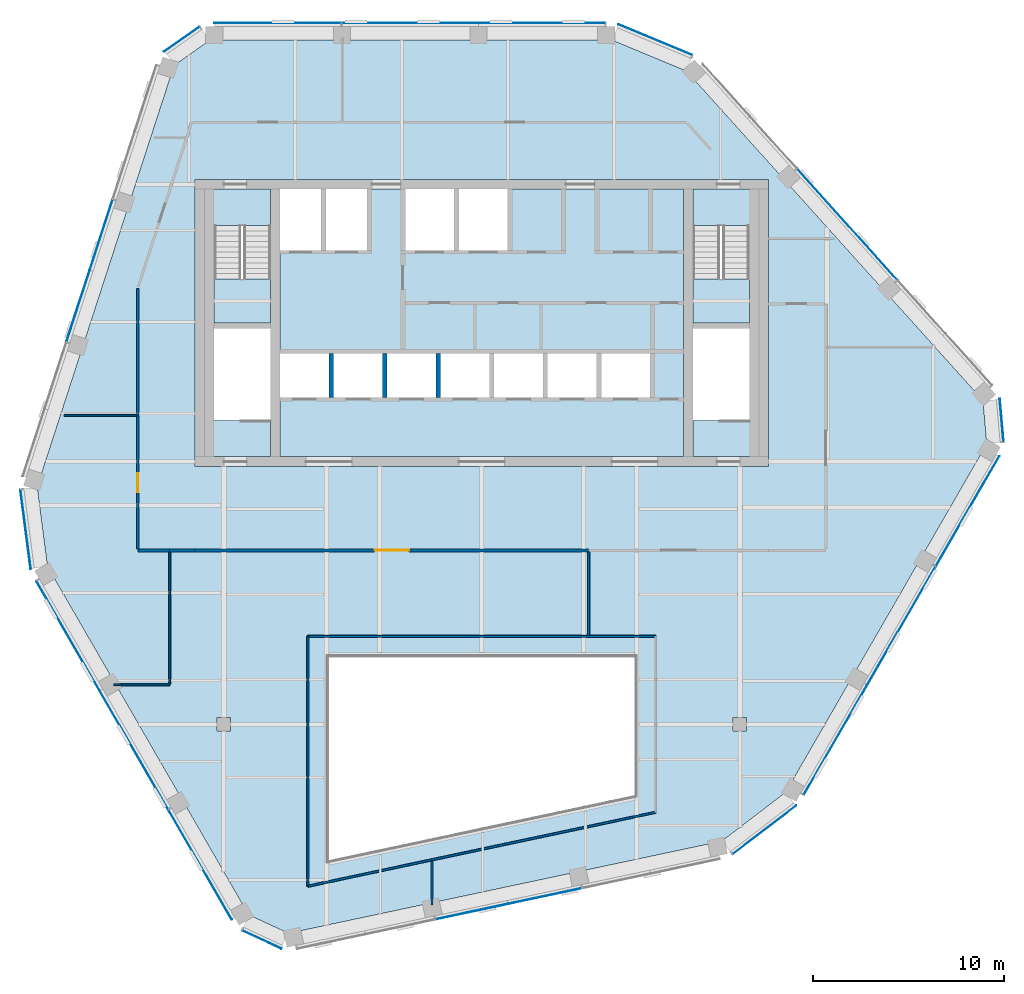
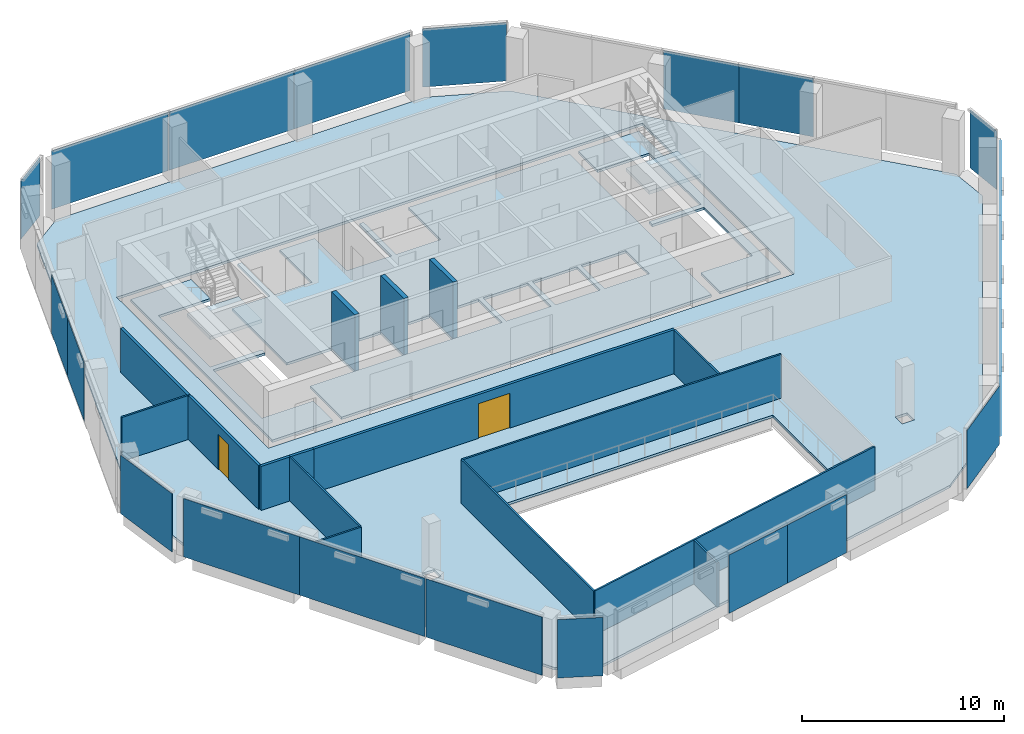
# One storey, part 7 of 13: 21 plates, 16 walls, 6 slabs, 2 doors, 2 openings, 14 elements without a shape of their own.
"""IFC4 building model written with IfcOpenShell, lengths in metres."""

from ifc_helpers import new_model, si_unit, direction, frame, frame_2d, origin, origin_2d, place, context, subcontext, project, spatial, polyline, rectangle, outline, extrude, material, layer, layer_set, type_object, element, fill, aggregate, save


model = new_model("IFC4")

# Units and contexts
model_context = context("Model", 3, precision=1e-05, world=origin(), true_north=direction((0.0, 1.0)))
body_context = subcontext(model_context, "Body", "Model", "MODEL_VIEW")
ifc_project = project(units=[si_unit("LENGTHUNIT", "METRE"), si_unit("AREAUNIT", "SQUARE_METRE"), si_unit("VOLUMEUNIT", "CUBIC_METRE"), si_unit("PLANEANGLEUNIT", "RADIAN"), si_unit("MASSUNIT", "GRAM", prefix="KILO")], contexts=[model_context])

# Site, building, storey
site_placement = place(None, origin())
site = spatial("IfcSite", under=ifc_project, at=site_placement, CompositionType="ELEMENT")
building_placement = place(site_placement, origin())
building = spatial("IfcBuilding", under=site, at=building_placement, Name="Isthmus Gate Tower", CompositionType="ELEMENT")
storey_placement = place(building_placement, frame((0.0, 0.0, 297.449951171875)))
storey = spatial("IfcBuildingStorey", under=building, at=storey_placement, Name="L76", CompositionType="ELEMENT", Elevation=297.449951171875)

# Slabs
ifc_material_1 = material(Name="Concrete f'c 40 MPa", Category="concrete")
ifc_layer_1 = layer(ifc_material_1, 0.14990234375)
ifc_layer_set_1 = layer_set([ifc_layer_1], Name="COMPOSITE FLOOR SLAB 150")
slab_type_1 = type_object("IfcSlabType", Name="COMPOSITE FLOOR SLAB 150", PredefinedType="FLOOR", material=ifc_layer_set_1)
slab_1_placement = place(storey_placement, frame((0.0, 0.0, -0.14990234375)))
element("IfcSlab", 1, at=slab_1_placement, inside=storey, type_object=slab_type_1, Name="str-slab-L76-1", PredefinedType="FLOOR", context=body_context, shape_type="SweptSolid", body=[
    extrude(outline(polyline([(10.7080078125, 20.68310546875), (26.218017578125, 3.45751953125), (26.423583984375, 1.1669921875), (15.902587890625, -17.055908203125), (12.55810546875, -19.614990234375), (-10.11474609375, -24.434326171875), (-12.201171875, -23.467041015625), (-22.72216796875, -5.243896484375), (-23.26611328125, -1.068115234375), (-16.103515625, 20.976806640625), (-14.22265625, 22.300048828125), (6.819580078125, 22.300048828125), (10.7080078125, 20.68310546875)]), holes=[polyline([(-8.0, -10.0), (-8.0, -20.611083984375), (8.0, -17.210205078125), (8.0, -10.0), (-8.0, -10.0)]), polyline([(-13.85009765625, -13.14990234375), (-13.85009765625, -13.85009765625), (-13.14990234375, -13.85009765625), (-13.14990234375, -13.14990234375), (-13.85009765625, -13.14990234375)]), polyline([(13.14990234375, -13.14990234375), (13.14990234375, -13.85009765625), (13.85009765625, -13.85009765625), (13.85009765625, -13.14990234375), (13.14990234375, -13.14990234375)]), polyline([(-15.0, 0.0), (15.0, 0.0), (15.0, 15.0), (-15.0, 15.0), (-15.0, 0.0)])]), origin(), (0.0, 0.0, 1.0), 0.14990234375),
])
ifc_material_2 = material(Name="Concrete f'c 40 MPa", Category="concrete")
ifc_layer_2 = layer(ifc_material_2, 0.14990234375)
ifc_layer_set_2 = layer_set([ifc_layer_2], Name="CORE FLOOR SLAB 150")
slab_type_2 = type_object("IfcSlabType", Name="CORE FLOOR SLAB 150", PredefinedType="FLOOR", material=ifc_layer_set_2)
slab_2_placement = place(storey_placement, frame((0.0, 0.0, -0.14990234375)))
element("IfcSlab", 2, at=slab_2_placement, inside=storey, type_object=slab_type_2, Name="L76 core floor", PredefinedType="FLOOR", context=body_context, shape_type="SweptSolid", body=[
    extrude(outline(polyline([(-11.050048828125, 0.5), (-11.050048828125, 2.402099609375), (-14.0, 2.402099609375), (-14.0, 7.199951171875), (-11.050048828125, 7.199951171875), (-11.050048828125, 7.5), (-14.0, 7.5), (-14.0, 12.597900390625), (-11.050048828125, 12.597900390625), (-11.050048828125, 14.5), (-14.5, 14.5), (-14.5, 0.5), (-11.050048828125, 0.5)])), origin(), (0.0, 0.0, 1.0), 0.14990234375),
])
slab_3_placement = place(storey_placement, frame((0.0, 0.0, -0.14990234375)))
element("IfcSlab", 3, at=slab_3_placement, inside=storey, type_object=slab_type_2, Name="L76 core floor", PredefinedType="FLOOR", context=body_context, shape_type="SweptSolid", body=[
    extrude(outline(polyline([(10.550048828125, 14.5), (1.35009765625, 14.5), (1.35009765625, 11.300048828125), (-1.199951171875, 11.300048828125), (-1.199951171875, 14.5), (-1.449951171875, 14.5), (-1.449951171875, 11.300048828125), (-4.0, 11.300048828125), (-4.0, 14.5), (-6.0, 14.5), (-6.0, 11.300048828125), (-8.14990234375, 11.300048828125), (-8.14990234375, 14.5), (-8.39990234375, 14.5), (-8.39990234375, 11.300048828125), (-10.550048828125, 11.300048828125), (-10.550048828125, 5.89990234375), (-8.0, 5.89990234375), (-8.0, 3.60009765625), (-10.550048828125, 3.60009765625), (-10.550048828125, 0.5), (10.550048828125, 0.5), (10.550048828125, 14.5)]), holes=[polyline([(-5.199951171875, 5.89990234375), (-5.199951171875, 3.60009765625), (-7.75, 3.60009765625), (-7.75, 5.89990234375), (-5.199951171875, 5.89990234375)]), polyline([(-2.39990234375, 5.89990234375), (-2.39990234375, 3.60009765625), (-4.949951171875, 3.60009765625), (-4.949951171875, 5.89990234375), (-2.39990234375, 5.89990234375)]), polyline([(0.39990234375, 5.89990234375), (0.39990234375, 3.60009765625), (-2.14990234375, 3.60009765625), (-2.14990234375, 5.89990234375), (0.39990234375, 5.89990234375)]), polyline([(3.199951171875, 5.89990234375), (3.199951171875, 3.60009765625), (0.64990234375, 3.60009765625), (0.64990234375, 5.89990234375), (3.199951171875, 5.89990234375)]), polyline([(6.0, 5.89990234375), (6.0, 3.60009765625), (3.449951171875, 3.60009765625), (3.449951171875, 5.89990234375), (6.0, 5.89990234375)]), polyline([(8.800048828125, 5.89990234375), (8.800048828125, 3.60009765625), (6.25, 3.60009765625), (6.25, 5.89990234375), (8.800048828125, 5.89990234375)])]), origin(), (0.0, 0.0, 1.0), 0.14990234375),
])
slab_4_placement = place(storey_placement, frame((0.0, 0.0, -0.14990234375)))
element("IfcSlab", 4, at=slab_4_placement, inside=storey, type_object=slab_type_2, Name="L76 core floor", PredefinedType="FLOOR", context=body_context, shape_type="SweptSolid", body=[
    extrude(outline(polyline([(11.050048828125, 14.5), (11.050048828125, 12.597900390625), (14.0, 12.597900390625), (14.0, 7.5), (11.050048828125, 7.5), (11.050048828125, 7.199951171875), (14.0, 7.199951171875), (14.0, 2.402099609375), (11.050048828125, 2.402099609375), (11.050048828125, 0.5), (14.5, 0.5), (14.5, 14.5), (11.050048828125, 14.5)])), origin(), (0.0, 0.0, 1.0), 0.14990234375),
])

# Curtain wall, plates
ifc_material_3 = material(Name="Aluminium, pale champagne anodised", Category="aluminium")
ifc_layer_3 = layer(ifc_material_3, 0.199951171875)
ifc_layer_set_3 = layer_set([ifc_layer_3], Name="CW-1 UNITISED CURTAIN WALL 200 DEEP")
curtain_wall_type = type_object("IfcCurtainWallType", Name="CW-1 UNITISED CURTAIN WALL 200 DEEP", PredefinedType="NOTDEFINED", material=ifc_layer_set_3)
curtain_wall_1_placement = place(storey_placement, origin())
curtain_wall_1 = element("IfcCurtainWall", 5, at=curtain_wall_1_placement, inside=storey, type_object=curtain_wall_type, Name="CW-1 N L76", PredefinedType="NOTDEFINED")
ifc_material_4 = material(Name="Laminated low-iron glass, pale blue tint", Category="glass")
ifc_layer_4 = layer(ifc_material_4, 0.031982421875)
ifc_layer_set_4 = layer_set([ifc_layer_4], Name="CW-1 CLEAR GLASS LITE 32")
plate_type = type_object("IfcPlateType", Name="CW-1 CLEAR GLASS LITE 32", PredefinedType="CURTAIN_PANEL", material=ifc_layer_set_4)
plate_1_placement = place(storey_placement, frame((3.13720703125, 23.18408203125, 0.0), z_axis=(0.0, 0.0, 1.0), x_axis=(-1.0, 0.0, 0.0)))
plate_1 = element("IfcPlate", 6, at=plate_1_placement, type_object=plate_type, Name="CW-1 glass lite", PredefinedType="CURTAIN_PANEL", context=body_context, shape_type="SweptSolid", body=[
    extrude(rectangle(XDim=6.62451171875, YDim=0.031982421875, at=origin_2d()), origin(), (0.0, 0.0, 1.0), 3.52001953125),
])
plate_2_placement = place(storey_placement, frame((-3.742431640625, 23.18408203125, 0.0), z_axis=(0.0, 0.0, 1.0), x_axis=(-1.0, 0.0, 0.0)))
plate_2 = element("IfcPlate", 7, at=plate_2_placement, type_object=plate_type, Name="CW-1 glass lite", PredefinedType="CURTAIN_PANEL", context=body_context, shape_type="SweptSolid", body=[
    extrude(rectangle(XDim=7.134521484375, YDim=0.031982421875, at=origin_2d()), origin(), (0.0, 0.0, 1.0), 3.52001953125),
])
plate_3_placement = place(storey_placement, frame((-10.681884765625, 23.18408203125, 0.0), z_axis=(0.0, 0.0, 1.0), x_axis=(-1.0, 0.0, 0.0)))
plate_3 = element("IfcPlate", 8, at=plate_3_placement, type_object=plate_type, Name="CW-1 glass lite", PredefinedType="CURTAIN_PANEL", context=body_context, shape_type="SweptSolid", body=[
    extrude(rectangle(XDim=6.62451171875, YDim=0.031982421875, at=origin_2d()), origin(), (0.0, 0.0, 1.0), 3.52001953125),
])
aggregate(curtain_wall_1, [plate_1, plate_2, plate_3])

# Curtain wall, plate
curtain_wall_2_placement = place(storey_placement, origin())
curtain_wall_2 = element("IfcCurtainWall", 9, at=curtain_wall_2_placement, inside=storey, type_object=curtain_wall_type, Name="CW-1 N-NW L76", PredefinedType="NOTDEFINED")
plate_4_placement = place(storey_placement, frame((-15.6953125, 22.3447265625, 0.0), z_axis=(0.0, 0.0, 1.0), x_axis=(-0.81785959165, -0.57541783805, 0.0)))
plate_4 = element("IfcPlate", 10, at=plate_4_placement, type_object=plate_type, Name="CW-1 glass lite", PredefinedType="CURTAIN_PANEL", context=body_context, shape_type="SweptSolid", body=[
    extrude(rectangle(XDim=2.258544921875, YDim=0.031982421875, at=origin_2d()), origin(), (0.0, 0.0, 1.0), 3.52001953125),
])
aggregate(curtain_wall_2, [plate_4])

# Curtain wall, plates
curtain_wall_3_placement = place(storey_placement, origin())
curtain_wall_3 = element("IfcCurtainWall", 11, at=curtain_wall_3_placement, inside=storey, type_object=curtain_wall_type, Name="CW-1 NW L76", PredefinedType="NOTDEFINED")
plate_5_placement = place(storey_placement, frame((-19.916259765625, 12.10302734375, 0.0), z_axis=(0.0, 0.0, 1.0), x_axis=(-0.309016994375, -0.951056516295, 0.0)))
plate_5 = element("IfcPlate", 12, at=plate_5_placement, type_object=plate_type, Name="CW-1 glass lite", PredefinedType="CURTAIN_PANEL", context=body_context, shape_type="SweptSolid", body=[
    extrude(rectangle(XDim=3.868408203125, YDim=0.031982421875, at=origin_2d()), origin(), (0.0, 0.0, 1.0), 3.52001953125),
])
plate_6_placement = place(storey_placement, frame((-21.120849609375, 8.395263671875, 0.0), z_axis=(0.0, 0.0, 1.0), x_axis=(-0.309016994375, -0.951056516295, 0.0)))
plate_6 = element("IfcPlate", 13, at=plate_6_placement, type_object=plate_type, Name="CW-1 glass lite", PredefinedType="CURTAIN_PANEL", context=body_context, shape_type="SweptSolid", body=[
    extrude(rectangle(XDim=3.928466796875, YDim=0.031982421875, at=origin_2d()), origin(), (0.0, 0.0, 1.0), 3.52001953125),
])
aggregate(curtain_wall_3, [plate_5, plate_6])

# Curtain wall, plate
curtain_wall_4_placement = place(storey_placement, origin())
curtain_wall_4 = element("IfcCurtainWall", 14, at=curtain_wall_4_placement, inside=storey, type_object=curtain_wall_type, Name="CW-1 NW-SW L76", PredefinedType="NOTDEFINED")
plate_7_placement = place(storey_placement, frame((-23.866943359375, -3.2998046875, 0.0), z_axis=(0.0, 0.0, 1.0), x_axis=(0.129164534, -0.991623175988, 0.0)))
plate_7 = element("IfcPlate", 15, at=plate_7_placement, type_object=plate_type, Name="CW-1 glass lite", PredefinedType="CURTAIN_PANEL", context=body_context, shape_type="SweptSolid", body=[
    extrude(rectangle(XDim=4.181396484375, YDim=0.031982421875, at=origin_2d()), origin(), (0.0, 0.0, 1.0), 3.52001953125),
])
aggregate(curtain_wall_4, [plate_7])

# Curtain wall, plates
curtain_wall_5_placement = place(storey_placement, origin())
curtain_wall_5 = element("IfcCurtainWall", 16, at=curtain_wall_5_placement, inside=storey, type_object=curtain_wall_type, Name="CW-1 SW L76", PredefinedType="NOTDEFINED")
plate_8_placement = place(storey_placement, frame((-21.646484375, -8.875244140625, 0.0), z_axis=(0.0, 0.0, 1.0), x_axis=(0.5, -0.866025403784, 0.0)))
plate_8 = element("IfcPlate", 17, at=plate_8_placement, type_object=plate_type, Name="CW-1 glass lite", PredefinedType="CURTAIN_PANEL", context=body_context, shape_type="SweptSolid", body=[
    extrude(rectangle(XDim=6.62451171875, YDim=0.031982421875, at=origin_2d()), origin(), (0.0, 0.0, 1.0), 3.52001953125),
])
plate_9_placement = place(storey_placement, frame((-18.206787109375, -14.8330078125, 0.0), z_axis=(0.0, 0.0, 1.0), x_axis=(0.5, -0.866025403784, 0.0)))
plate_9 = element("IfcPlate", 18, at=plate_9_placement, type_object=plate_type, Name="CW-1 glass lite", PredefinedType="CURTAIN_PANEL", context=body_context, shape_type="SweptSolid", body=[
    extrude(rectangle(XDim=7.134521484375, YDim=0.031982421875, at=origin_2d()), origin(), (0.0, 0.0, 1.0), 3.52001953125),
])
plate_10_placement = place(storey_placement, frame((-14.737060546875, -20.8427734375, 0.0), z_axis=(0.0, 0.0, 1.0), x_axis=(0.5, -0.866025403784, 0.0)))
plate_10 = element("IfcPlate", 19, at=plate_10_placement, type_object=plate_type, Name="CW-1 glass lite", PredefinedType="CURTAIN_PANEL", context=body_context, shape_type="SweptSolid", body=[
    extrude(rectangle(XDim=6.62451171875, YDim=0.031982421875, at=origin_2d()), origin(), (0.0, 0.0, 1.0), 3.52001953125),
])
aggregate(curtain_wall_5, [plate_8, plate_9, plate_10])

# Curtain wall, plate
curtain_wall_6_placement = place(storey_placement, origin())
curtain_wall_6 = element("IfcCurtainWall", 20, at=curtain_wall_6_placement, inside=storey, type_object=curtain_wall_type, Name="CW-1 SW-S L76", PredefinedType="NOTDEFINED")
plate_11_placement = place(storey_placement, frame((-11.50341796875, -24.764892578125, 0.0), z_axis=(0.0, 0.0, 1.0), x_axis=(0.907256261367, -0.420578264073, 0.0)))
plate_11 = element("IfcPlate", 21, at=plate_11_placement, type_object=plate_type, Name="CW-1 glass lite", PredefinedType="CURTAIN_PANEL", context=body_context, shape_type="SweptSolid", body=[
    extrude(rectangle(XDim=2.258544921875, YDim=0.031982421875, at=origin_2d()), origin(), (0.0, 0.0, 1.0), 3.52001953125),
])
aggregate(curtain_wall_6, [plate_11])

# Curtain wall, plates
curtain_wall_7_placement = place(storey_placement, origin())
curtain_wall_7 = element("IfcCurtainWall", 22, at=curtain_wall_7_placement, inside=storey, type_object=curtain_wall_type, Name="CW-1 S L76", PredefinedType="NOTDEFINED")
plate_12_placement = place(storey_placement, frame((-0.5234375, -23.29931640625, 0.0), z_axis=(0.0, 0.0, 1.0), x_axis=(0.978147600734, 0.207911690818, 0.0)))
plate_12 = element("IfcPlate", 23, at=plate_12_placement, type_object=plate_type, Name="CW-1 glass lite", PredefinedType="CURTAIN_PANEL", context=body_context, shape_type="SweptSolid", body=[
    extrude(rectangle(XDim=3.868408203125, YDim=0.031982421875, at=origin_2d()), origin(), (0.0, 0.0, 1.0), 3.52001953125),
])
plate_13_placement = place(storey_placement, frame((3.289794921875, -22.48876953125, 0.0), z_axis=(0.0, 0.0, 1.0), x_axis=(0.978147600734, 0.207911690818, 0.0)))
plate_13 = element("IfcPlate", 24, at=plate_13_placement, type_object=plate_type, Name="CW-1 glass lite", PredefinedType="CURTAIN_PANEL", context=body_context, shape_type="SweptSolid", body=[
    extrude(rectangle(XDim=3.928466796875, YDim=0.031982421875, at=origin_2d()), origin(), (0.0, 0.0, 1.0), 3.52001953125),
])
aggregate(curtain_wall_7, [plate_12, plate_13])

# Curtain wall, plate
curtain_wall_8_placement = place(storey_placement, origin())
curtain_wall_8 = element("IfcCurtainWall", 25, at=curtain_wall_8_placement, inside=storey, type_object=curtain_wall_type, Name="CW-1 S-SE L76", PredefinedType="NOTDEFINED")
plate_14_placement = place(storey_placement, frame((14.791259765625, -19.01953125, 0.0), z_axis=(0.0, 0.0, 1.0), x_axis=(0.794188594387, 0.607671355706, 0.0)))
plate_14 = element("IfcPlate", 26, at=plate_14_placement, type_object=plate_type, Name="CW-1 glass lite", PredefinedType="CURTAIN_PANEL", context=body_context, shape_type="SweptSolid", body=[
    extrude(rectangle(XDim=4.181396484375, YDim=0.031982421875, at=origin_2d()), origin(), (0.0, 0.0, 1.0), 3.52001953125),
])
aggregate(curtain_wall_8, [plate_14])

# Curtain wall, plates
curtain_wall_9_placement = place(storey_placement, origin())
curtain_wall_9 = element("IfcCurtainWall", 27, at=curtain_wall_9_placement, inside=storey, type_object=curtain_wall_type, Name="CW-1 SE L76", PredefinedType="NOTDEFINED")
plate_15_placement = place(storey_placement, frame((18.50927734375, -14.308837890625, 0.0), z_axis=(0.0, 0.0, 1.0), x_axis=(0.5, 0.866025403784, 0.0)))
plate_15 = element("IfcPlate", 28, at=plate_15_placement, type_object=plate_type, Name="CW-1 glass lite", PredefinedType="CURTAIN_PANEL", context=body_context, shape_type="SweptSolid", body=[
    extrude(rectangle(XDim=6.62451171875, YDim=0.031982421875, at=origin_2d()), origin(), (0.0, 0.0, 1.0), 3.52001953125),
])
plate_16_placement = place(storey_placement, frame((21.94921875, -8.35107421875, 0.0), z_axis=(0.0, 0.0, 1.0), x_axis=(0.5, 0.866025403784, 0.0)))
plate_16 = element("IfcPlate", 29, at=plate_16_placement, type_object=plate_type, Name="CW-1 glass lite", PredefinedType="CURTAIN_PANEL", context=body_context, shape_type="SweptSolid", body=[
    extrude(rectangle(XDim=7.134521484375, YDim=0.031982421875, at=origin_2d()), origin(), (0.0, 0.0, 1.0), 3.52001953125),
])
plate_17_placement = place(storey_placement, frame((25.4189453125, -2.34130859375, 0.0), z_axis=(0.0, 0.0, 1.0), x_axis=(0.5, 0.866025403784, 0.0)))
plate_17 = element("IfcPlate", 30, at=plate_17_placement, type_object=plate_type, Name="CW-1 glass lite", PredefinedType="CURTAIN_PANEL", context=body_context, shape_type="SweptSolid", body=[
    extrude(rectangle(XDim=6.62451171875, YDim=0.031982421875, at=origin_2d()), origin(), (0.0, 0.0, 1.0), 3.52001953125),
])
aggregate(curtain_wall_9, [plate_15, plate_16, plate_17])

# Curtain wall, plate
curtain_wall_10_placement = place(storey_placement, origin())
curtain_wall_10 = element("IfcCurtainWall", 31, at=curtain_wall_10_placement, inside=storey, type_object=curtain_wall_type, Name="CW-1 SE-NE L76", PredefinedType="NOTDEFINED")
plate_18_placement = place(storey_placement, frame((27.19873046875, 2.420166015625, 0.0), z_axis=(0.0, 0.0, 1.0), x_axis=(-0.089396669717, 0.995996102123, 0.0)))
plate_18 = element("IfcPlate", 32, at=plate_18_placement, type_object=plate_type, Name="CW-1 glass lite", PredefinedType="CURTAIN_PANEL", context=body_context, shape_type="SweptSolid", body=[
    extrude(rectangle(XDim=2.258544921875, YDim=0.031982421875, at=origin_2d()), origin(), (0.0, 0.0, 1.0), 3.52001953125),
])
aggregate(curtain_wall_10, [plate_18])

# Curtain wall, plates
curtain_wall_11_placement = place(storey_placement, origin())
curtain_wall_11 = element("IfcCurtainWall", 33, at=curtain_wall_11_placement, inside=storey, type_object=curtain_wall_type, Name="CW-1 NE L76", PredefinedType="NOTDEFINED")
plate_19_placement = place(storey_placement, frame((20.439453125, 11.196533203125, 0.0), z_axis=(0.0, 0.0, 1.0), x_axis=(-0.669130606359, 0.743144825477, 0.0)))
plate_19 = element("IfcPlate", 34, at=plate_19_placement, type_object=plate_type, Name="CW-1 glass lite", PredefinedType="CURTAIN_PANEL", context=body_context, shape_type="SweptSolid", body=[
    extrude(rectangle(XDim=3.868408203125, YDim=0.031982421875, at=origin_2d()), origin(), (0.0, 0.0, 1.0), 3.52001953125),
])
plate_20_placement = place(storey_placement, frame((17.8310546875, 14.093505859375, 0.0), z_axis=(0.0, 0.0, 1.0), x_axis=(-0.669130606359, 0.743144825477, 0.0)))
plate_20 = element("IfcPlate", 35, at=plate_20_placement, type_object=plate_type, Name="CW-1 glass lite", PredefinedType="CURTAIN_PANEL", context=body_context, shape_type="SweptSolid", body=[
    extrude(rectangle(XDim=3.928466796875, YDim=0.031982421875, at=origin_2d()), origin(), (0.0, 0.0, 1.0), 3.52001953125),
])
aggregate(curtain_wall_11, [plate_19, plate_20])

# Curtain wall, plate
curtain_wall_12_placement = place(storey_placement, origin())
curtain_wall_12 = element("IfcCurtainWall", 36, at=curtain_wall_12_placement, inside=storey, type_object=curtain_wall_type, Name="CW-1 NE-N L76", PredefinedType="NOTDEFINED")
plate_21_placement = place(storey_placement, frame((9.07568359375, 22.3193359375, 0.0), z_axis=(0.0, 0.0, 1.0), x_axis=(-0.923353128387, 0.383951820282, 0.0)))
plate_21 = element("IfcPlate", 37, at=plate_21_placement, type_object=plate_type, Name="CW-1 glass lite", PredefinedType="CURTAIN_PANEL", context=body_context, shape_type="SweptSolid", body=[
    extrude(rectangle(XDim=4.181396484375, YDim=0.031982421875, at=origin_2d()), origin(), (0.0, 0.0, 1.0), 3.52001953125),
])
aggregate(curtain_wall_12, [plate_21])

# Stair, slab
ifc_material_5 = material(Name="Concrete f'c 40 MPa", Category="concrete")
stair_type = type_object("IfcStairType", Name="CORE STAIR 22 RISERS", PredefinedType="HALF_TURN_STAIR", material=ifc_material_5)
stair_1_placement = place(storey_placement, origin())
stair_1 = element("IfcStair", 38, at=stair_1_placement, inside=storey, type_object=stair_type, Name="L76 Exit Stair 1", PredefinedType="HALF_TURN_STAIR")
ifc_material_6 = material(Name="Concrete f'c 40 MPa", Category="concrete")
ifc_layer_5 = layer(ifc_material_6, 0.199951171875)
ifc_layer_set_5 = layer_set([ifc_layer_5])
slab_type_3 = type_object("IfcSlabType", Name="STAIR LANDING RC 200", PredefinedType="LANDING", material=ifc_layer_set_5)
slab_5_placement = place(storey_placement, frame((0.0, 0.0, 1.625)))
slab_5 = element("IfcSlab", 39, at=slab_5_placement, type_object=slab_type_3, Name="ST1 landing 1", PredefinedType="LANDING", context=body_context, shape_type="SweptSolid", body=[
    extrude(outline(polyline([(-14.0, 9.800048828125), (-14.0, 7.5), (-11.050048828125, 7.5), (-11.050048828125, 9.800048828125), (-14.0, 9.800048828125)])), origin(), (0.0, 0.0, 1.0), 0.199951171875),
])
aggregate(stair_1, [slab_5])

stair_2_placement = place(storey_placement, origin())
stair_2 = element("IfcStair", 40, at=stair_2_placement, inside=storey, type_object=stair_type, Name="L76 Exit Stair 2", PredefinedType="HALF_TURN_STAIR")
slab_6_placement = place(storey_placement, frame((0.0, 0.0, 1.625)))
slab_6 = element("IfcSlab", 41, at=slab_6_placement, type_object=slab_type_3, Name="ST2 landing 1", PredefinedType="LANDING", context=body_context, shape_type="SweptSolid", body=[
    extrude(outline(polyline([(11.050048828125, 9.800048828125), (11.050048828125, 7.5), (14.0, 7.5), (14.0, 9.800048828125), (11.050048828125, 9.800048828125)])), origin(), (0.0, 0.0, 1.0), 0.199951171875),
])
aggregate(stair_2, [slab_6])

# Walls
ifc_material_7 = material(Name="Fire-rated laminated glass in steel frame", Category="steel")
ifc_layer_6 = layer(ifc_material_7, 0.10009765625)
ifc_layer_set_6 = layer_set([ifc_layer_6], Name="ATRIUM SCREEN GLAZED WALL 100 120 MIN")
wall_type_1 = type_object("IfcWallType", Name="ATRIUM SCREEN GLAZED WALL 100 120 MIN", PredefinedType="PARTITIONING", material=ifc_layer_set_6)
wall_1_placement = place(storey_placement, frame((-9.10009765625, -8.89990234375, 0.0), z_axis=(0.0, 0.0, 1.0), x_axis=(1.0, 0.0, 0.0)))
element("IfcWall", 42, at=wall_1_placement, inside=storey, type_object=wall_type_1, Name="L76 atrium screen", PredefinedType="PARTITIONING", context=body_context, shape_type="SweptSolid", body=[
    extrude(rectangle(XDim=18.2001953125, YDim=0.10009765625, at=frame_2d((9.10009765625, 0.0))), origin(), (0.0, 0.0, 1.0), 2.650634765625),
])
wall_2_placement = place(storey_placement, frame((9.10009765625, -18.100830078125, 0.0), z_axis=(0.0, 0.0, 1.0), x_axis=(-0.978146710971, -0.207915876778, 0.0)))
element("IfcWall", 43, at=wall_2_placement, inside=storey, type_object=wall_type_1, Name="L76 atrium screen", PredefinedType="PARTITIONING", context=body_context, shape_type="SweptSolid", body=[
    extrude(rectangle(XDim=18.60693359375, YDim=0.10009765625, at=frame_2d((9.303466796875, 0.0))), origin(), (0.0, 0.0, 1.0), 2.650634765625),
])
wall_3_placement = place(storey_placement, frame((-9.10009765625, -21.969482421875, 0.0), z_axis=(0.0, 0.0, 1.0), x_axis=(0.0, 1.0, 0.0)))
element("IfcWall", 44, at=wall_3_placement, inside=storey, type_object=wall_type_1, Name="L76 atrium screen", PredefinedType="PARTITIONING", context=body_context, shape_type="SweptSolid", body=[
    extrude(rectangle(XDim=13.069580078125, YDim=0.10009765625, at=frame_2d((6.53466796875, 0.0))), origin(), (0.0, 0.0, 1.0), 2.650634765625),
])

# Wall, opening, door
ifc_material_8 = material(Name="Gypsum board on steel studs, fire-rated", Category="steel")
ifc_layer_7 = layer(ifc_material_8, 0.14990234375)
ifc_layer_set_7 = layer_set([ifc_layer_7], Name="CORRIDOR WALL 150 60 MIN")
wall_type_2 = type_object("IfcWallType", Name="CORRIDOR WALL 150 60 MIN", PredefinedType="PARTITIONING", material=ifc_layer_set_7)
wall_4_placement = place(storey_placement, frame((5.590087890625, -4.39990234375, 0.0), z_axis=(0.0, 0.0, 1.0), x_axis=(-1.0, 0.0, 0.0)))
wall_4 = element("IfcWall", 45, at=wall_4_placement, inside=storey, type_object=wall_type_2, Name="L76 Corridor Wall 150 60 Min", PredefinedType="PARTITIONING", context=body_context, shape_type="SweptSolid", body=[
    extrude(rectangle(XDim=20.590087890625, YDim=0.14990234375, at=frame_2d((10.294921875, 0.0))), origin(), (0.0, 0.0, 1.0), 2.650634765625),
])
opening_1_placement = place(wall_4_placement, frame((9.39501953125, 0.0, 0.0)))
opening_1 = element("IfcOpeningElement", 46, at=opening_1_placement, cuts=wall_4, Name="Opening DT-T6D-08", PredefinedType="OPENING", context=body_context, shape_type="SweptSolid", body=[
    extrude(rectangle(XDim=1.800048828125, YDim=2.10009765625, at=frame_2d((0.89990234375, 1.050048828125))), frame((0.0, 0.0849609375, 0.0), z_axis=(0.0, -1.0, 0.0), x_axis=(1.0, 0.0, 0.0)), (0.0, 0.0, 1.0), 0.169921875),
])
ifc_material_9 = material(Name="Solid core timber door leaf, fire-rated", Category="wood")
door_type_1 = type_object("IfcDoorType", Name="FIRE DOOR ROOM 1800 X 2100 60 MIN", OperationType="DOUBLE_DOOR_DOUBLE_SWING", PredefinedType="DOOR", material=ifc_material_9)
door_1_placement = place(opening_1_placement, origin())
door_1 = element("IfcDoor", 47, at=door_1_placement, inside=storey, type_object=door_type_1, Name="L76 room door", OperationType="DOUBLE_DOOR_DOUBLE_SWING", OverallHeight=2.10009765625, OverallWidth=1.800048828125, PredefinedType="DOOR", context=body_context, shape_type="SweptSolid", body=[
    extrude(rectangle(XDim=1.800048828125, YDim=2.10009765625, at=frame_2d((0.89990234375, 1.050048828125))), frame((0.0, 0.02490234375, 0.0), z_axis=(0.0, -1.0, 0.0), x_axis=(1.0, 0.0, 0.0)), (0.0, 0.0, 1.0), 0.050048828125),
])
fill(opening_1, door_1)

# Walls
wall_5_placement = place(storey_placement, frame((-16.327880859375, -4.39990234375, 0.0), z_axis=(0.0, 0.0, 1.0), x_axis=(-1.0, 0.0, 0.0)))
element("IfcWall", 48, at=wall_5_placement, inside=storey, type_object=wall_type_2, Name="L76 Corridor Wall 150 60 Min", PredefinedType="PARTITIONING", context=body_context, shape_type="SweptSolid", body=[
    extrude(rectangle(XDim=1.672119140625, YDim=0.14990234375, at=frame_2d((0.8359375, 0.0))), origin(), (0.0, 0.0, 1.0), 2.650634765625),
])
wall_6_placement = place(storey_placement, frame((-15.0, -4.39990234375, 0.0), z_axis=(0.0, 0.0, 1.0), x_axis=(-1.0, 0.0, 0.0)))
element("IfcWall", 49, at=wall_6_placement, inside=storey, type_object=wall_type_2, Name="L76 Corridor Wall 150 60 Min", PredefinedType="PARTITIONING", context=body_context, shape_type="SweptSolid", body=[
    extrude(rectangle(XDim=1.327880859375, YDim=0.14990234375, at=frame_2d((0.6640625, 0.0))), origin(), (0.0, 0.0, 1.0), 2.650634765625),
])
wall_7_placement = place(storey_placement, frame((-18.0, 2.669921875, 0.0), z_axis=(0.0, 0.0, 1.0), x_axis=(0.0, 1.0, 0.0)))
element("IfcWall", 50, at=wall_7_placement, inside=storey, type_object=wall_type_2, Name="L76 Corridor Wall 150 60 Min", PredefinedType="PARTITIONING", context=body_context, shape_type="SweptSolid", body=[
    extrude(rectangle(XDim=6.64501953125, YDim=0.14990234375, at=frame_2d((3.322509765625, 0.0))), origin(), (0.0, 0.0, 1.0), 2.650634765625),
])

# Wall, opening, door
wall_8_placement = place(storey_placement, frame((-18.0, -4.324951171875, 0.0), z_axis=(0.0, 0.0, 1.0), x_axis=(0.0, 1.0, 0.0)))
wall_8 = element("IfcWall", 51, at=wall_8_placement, inside=storey, type_object=wall_type_2, Name="L76 Corridor Wall 150 60 Min", PredefinedType="PARTITIONING", context=body_context, shape_type="SweptSolid", body=[
    extrude(rectangle(XDim=6.945068359375, YDim=0.14990234375, at=frame_2d((3.47265625, 0.0))), origin(), (0.0, 0.0, 1.0), 2.650634765625),
])
opening_2_placement = place(wall_8_placement, frame((2.972412109375, 0.0, 0.0)))
opening_2 = element("IfcOpeningElement", 52, at=opening_2_placement, cuts=wall_8, Name="Opening DT-T6D-05", PredefinedType="OPENING", context=body_context, shape_type="SweptSolid", body=[
    extrude(rectangle(XDim=1.0, YDim=2.10009765625, at=frame_2d((0.5, 1.050048828125))), frame((0.0, 0.0849609375, 0.0), z_axis=(0.0, -1.0, 0.0), x_axis=(1.0, 0.0, 0.0)), (0.0, 0.0, 1.0), 0.169921875),
])
ifc_material_10 = material(Name="Solid core timber door leaf, fire-rated", Category="wood")
door_type_2 = type_object("IfcDoorType", Name="FIRE DOOR ROOM 1000 X 2100 60 MIN", OperationType="SINGLE_SWING_LEFT", PredefinedType="DOOR", material=ifc_material_10)
door_2_placement = place(opening_2_placement, origin())
door_2 = element("IfcDoor", 53, at=door_2_placement, inside=storey, type_object=door_type_2, Name="L76 room door", OperationType="SINGLE_SWING_RIGHT", OverallHeight=2.10009765625, OverallWidth=1.0, PredefinedType="DOOR", context=body_context, shape_type="SweptSolid", body=[
    extrude(rectangle(XDim=1.0, YDim=2.10009765625, at=frame_2d((0.5, 1.050048828125))), frame((0.0, 0.02490234375, 0.0), z_axis=(0.0, -1.0, 0.0), x_axis=(1.0, 0.0, 0.0)), (0.0, 0.0, 1.0), 0.050048828125),
])
fill(opening_2, door_2)

# Walls
ifc_material_11 = material(Name="Gypsum board on steel studs, fire-rated", Category="steel")
ifc_layer_8 = layer(ifc_material_11, 0.10009765625)
ifc_layer_set_8 = layer_set([ifc_layer_8], Name="ROOM PARTITION 100 30 MIN")
wall_type_3 = type_object("IfcWallType", Name="ROOM PARTITION 100 30 MIN", PredefinedType="PARTITIONING", material=ifc_layer_set_8)
wall_9_placement = place(storey_placement, frame((-21.85693359375, 2.669921875, 0.0), z_axis=(0.0, 0.0, 1.0), x_axis=(1.0, 0.0, 0.0)))
element("IfcWall", 54, at=wall_9_placement, inside=storey, type_object=wall_type_3, Name="L76 Room Partition 100 30 Min", PredefinedType="PARTITIONING", context=body_context, shape_type="SweptSolid", body=[
    extrude(rectangle(XDim=3.781982421875, YDim=0.10009765625, at=frame_2d((1.89111328125, 0.0))), origin(), (0.0, 0.0, 1.0), 2.650634765625),
])
wall_10_placement = place(storey_placement, frame((-19.26806640625, -11.427001953125, 0.0), z_axis=(0.0, 0.0, 1.0), x_axis=(1.0, 0.0, 0.0)))
element("IfcWall", 55, at=wall_10_placement, inside=storey, type_object=wall_type_3, Name="L76 Room Partition 100 30 Min", PredefinedType="PARTITIONING", context=body_context, shape_type="SweptSolid", body=[
    extrude(rectangle(XDim=2.940185546875, YDim=0.10009765625, at=frame_2d((1.47021484375, 0.0))), origin(), (0.0, 0.0, 1.0), 2.650634765625),
])
wall_11_placement = place(storey_placement, frame((-16.327880859375, -11.376953125, 0.0), z_axis=(0.0, 0.0, 1.0), x_axis=(0.0, 1.0, 0.0)))
element("IfcWall", 56, at=wall_11_placement, inside=storey, type_object=wall_type_3, Name="L76 Room Partition 100 30 Min", PredefinedType="PARTITIONING", context=body_context, shape_type="SweptSolid", body=[
    extrude(rectangle(XDim=6.90185546875, YDim=0.10009765625, at=frame_2d((3.450927734375, 0.0))), origin(), (0.0, 0.0, 1.0), 2.650634765625),
])
wall_12_placement = place(storey_placement, frame((-2.60595703125, -22.93994140625, 0.0), z_axis=(0.0, 0.0, 1.0), x_axis=(0.0, 1.0, 0.0)))
element("IfcWall", 57, at=wall_12_placement, inside=storey, type_object=wall_type_3, Name="L76 Room Partition 100 30 Min", PredefinedType="PARTITIONING", context=body_context, shape_type="SweptSolid", body=[
    extrude(rectangle(XDim=2.300048828125, YDim=0.10009765625, at=frame_2d((1.14990234375, 0.0))), origin(), (0.0, 0.0, 1.0), 2.650634765625),
])
wall_13_placement = place(storey_placement, frame((5.590087890625, -8.85009765625, 0.0), z_axis=(0.0, 0.0, 1.0), x_axis=(0.0, 1.0, 0.0)))
element("IfcWall", 58, at=wall_13_placement, inside=storey, type_object=wall_type_3, Name="L76 Room Partition 100 30 Min", PredefinedType="PARTITIONING", context=body_context, shape_type="SweptSolid", body=[
    extrude(rectangle(XDim=4.375, YDim=0.10009765625, at=frame_2d((2.1875, 0.0))), origin(), (0.0, 0.0, 1.0), 2.650634765625),
])
ifc_material_12 = material(Name="Fire-rated blockwork masonry, 15 MPa", Category="masonry")
ifc_layer_9 = layer(ifc_material_12, 0.25)
ifc_layer_set_9 = layer_set([ifc_layer_9], Name="SHAFT WALL 250 120 MIN")
wall_type_4 = type_object("IfcWallType", Name="SHAFT WALL 250 120 MIN", PredefinedType="PARTITIONING", material=ifc_layer_set_9)
for number, where, z_axis, x_axis, name in (
    (59, (-7.875, 3.60009765625, 0.0), (0.0, 0.0, 1.0), (0.0, 1.0, 0.0), "L76 SHAFT WALL 250 120 MIN"),
    (60, (-5.074951171875, 3.60009765625, 0.0), (0.0, 0.0, 1.0), (0.0, 1.0, 0.0), "L76 SHAFT WALL 250 120 MIN"),
    (61, (-2.27490234375, 3.60009765625, 0.0), (0.0, 0.0, 1.0), (0.0, 1.0, 0.0), "L76 SHAFT WALL 250 120 MIN"),
):
    element("IfcWall", number, at=place(storey_placement, frame(where, z_axis=z_axis, x_axis=x_axis)), inside=storey, type_object=wall_type_4, Name=name, PredefinedType="PARTITIONING", context=body_context, shape_type="SweptSolid", body=[
        extrude(rectangle(XDim=2.2998046875, YDim=0.25, at=frame_2d((1.14990234375, 0.0))), origin(), (0.0, 0.0, 1.0), 3.400146484375),
    ])

save(model, "model.ifc")
